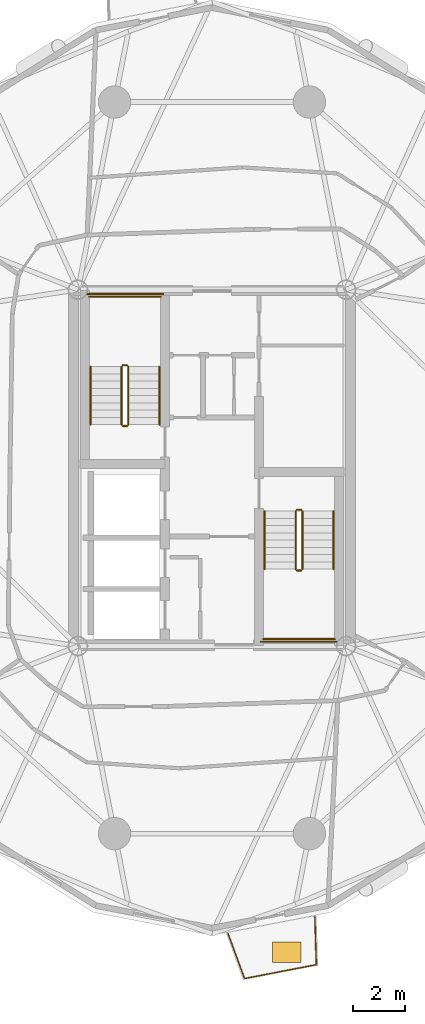
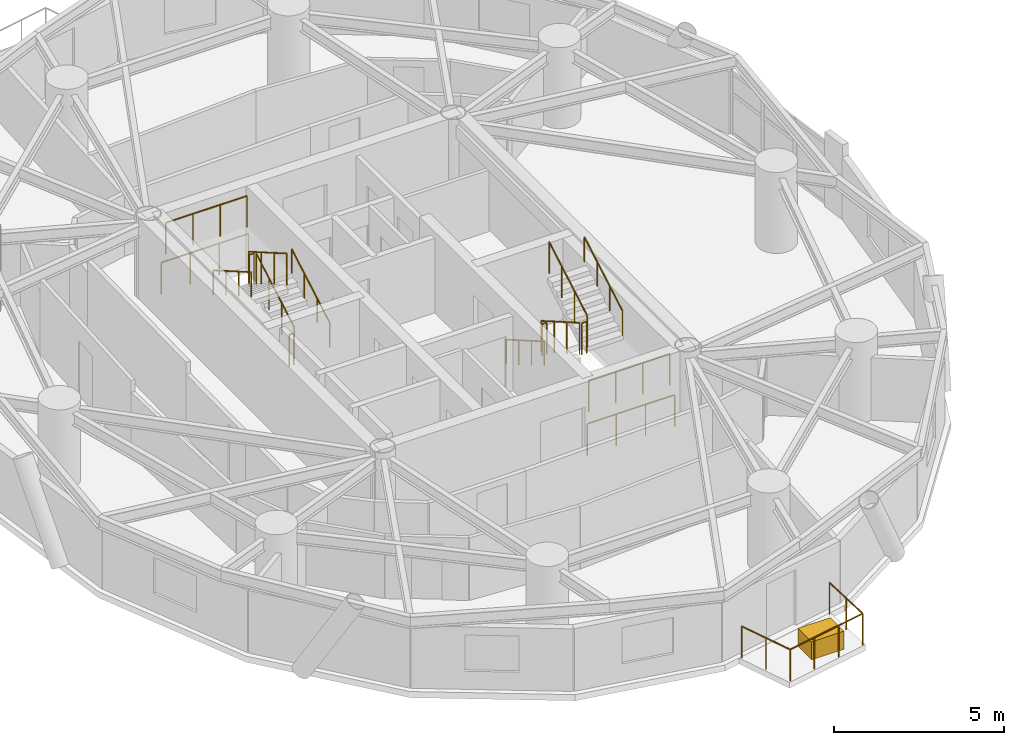
# One storey, part 15 of 17: 17 railings, 1 covering.
"""IFC4 building model written with IfcOpenShell, lengths in metres."""

from ifc_helpers import new_model, si_unit, direction, frame, origin, origin_2d, place, context, subcontext, project, spatial, rectangle, circle, extrude, source, transform, mapped, material, layer, layer_set, type_object, element, save


model = new_model("IFC4")

# Units and contexts
model_context = context("Model", 3, precision=1e-05, world=origin(), true_north=direction((0.0, 1.0)))
body_context = subcontext(model_context, "Body", "Model", "MODEL_VIEW")
ifc_project = project(units=[si_unit("LENGTHUNIT", "METRE"), si_unit("AREAUNIT", "SQUARE_METRE"), si_unit("VOLUMEUNIT", "CUBIC_METRE"), si_unit("PLANEANGLEUNIT", "RADIAN"), si_unit("MASSUNIT", "GRAM", prefix="KILO")], contexts=[model_context])

# Site, building, storey
site_placement = place(None, origin())
site = spatial("IfcSite", under=ifc_project, at=site_placement, CompositionType="ELEMENT")
building_placement = place(site_placement, origin())
building = spatial("IfcBuilding", under=site, at=building_placement, Name="Cununo Teusaquillo Station Towers", CompositionType="ELEMENT")
storey_placement = place(building_placement, frame((0.0, 0.0, 163.239990234375)))
storey = spatial("IfcBuildingStorey", under=building, at=storey_placement, Name="L51", CompositionType="ELEMENT", Elevation=163.239990234375)

# Railings
ifc_material_1 = material(Name="Anodised dark bronze aluminium EN AW-6063-T6", Category="aluminium")
railing_type_1 = type_object("IfcRailingType", Name="RL-EXT-GUARD", PredefinedType="GUARDRAIL", material=ifc_material_1)
railing_1_placement = place(storey_placement, frame((20.470703125, 7.173583984375, 0.0)))
element("IfcRailing", 1, at=railing_1_placement, inside=storey, type_object=railing_type_1, Name="L51 Tower A Balcony Guardrail C15", PredefinedType="GUARDRAIL", context=body_context, shape_type="SweptSolid", body=[
    extrude(circle(Radius=0.02392578125, at=origin_2d()), frame((0.0, 0.0, 1.1259765625), z_axis=(0.030492060761, -0.999535009007, 0.0), x_axis=(0.999535009007, 0.030492060761, 0.0)), (0.0, 0.0, 1.0), 1.857666015625),
    extrude(circle(Radius=0.02392578125, at=origin_2d()), frame((0.056640625, -1.856689453125, 1.1259765625), z_axis=(-0.981837596309, -0.18972331031, 0.0), x_axis=(0.18972331031, -0.981837596309, 0.0)), (0.0, 0.0, 1.0), 2.822021484375),
    extrude(circle(Radius=0.02392578125, at=origin_2d()), frame((-2.714111328125, -2.39208984375, 1.1259765625), z_axis=(-0.344127190422, 0.938923040942, 0.0), x_axis=(-0.938923040942, -0.344127190422, 0.0)), (0.0, 0.0, 1.0), 1.857421875),
    extrude(circle(Radius=0.02099609375, at=origin_2d()), origin(), (0.0, 0.0, 1.0), 1.101806640625),
    extrude(circle(Radius=0.02099609375, at=origin_2d()), frame((0.0283203125, -0.92822265625, 0.0)), (0.0, 0.0, 1.0), 1.101806640625),
    extrude(circle(Radius=0.02099609375, at=origin_2d()), frame((0.056640625, -1.856689453125, 0.0)), (0.0, 0.0, 1.0), 1.101806640625),
    extrude(circle(Radius=0.02099609375, at=origin_2d()), frame((-0.866943359375, -2.03515625, 0.0)), (0.0, 0.0, 1.0), 1.101806640625),
    extrude(circle(Radius=0.02099609375, at=origin_2d()), frame((-1.79052734375, -2.213623046875, 0.0)), (0.0, 0.0, 1.0), 1.101806640625),
    extrude(circle(Radius=0.02099609375, at=origin_2d()), frame((-2.714111328125, -2.39208984375, 0.0)), (0.0, 0.0, 1.0), 1.101806640625),
    extrude(circle(Radius=0.02099609375, at=origin_2d()), frame((-3.03369140625, -1.52001953125, 0.0)), (0.0, 0.0, 1.0), 1.101806640625),
    extrude(circle(Radius=0.02099609375, at=origin_2d()), frame((-3.353271484375, -0.648193359375, 0.0)), (0.0, 0.0, 1.0), 1.101806640625),
])
ifc_material_2 = material(Name="Steel EN 10025-2 S355J2", Category="steel")
railing_type_2 = type_object("IfcRailingType", Name="RL-INT-GUARD", PredefinedType="GUARDRAIL", material=ifc_material_2)
railing_2_placement = place(storey_placement, frame((13.27001953125, 26.169921875, 0.16162109375)))
element("IfcRailing", 2, at=railing_2_placement, inside=storey, type_object=railing_type_2, Name="L51 ST-T1-1 stair guard 1", PredefinedType="GUARDRAIL", context=body_context, shape_type="SweptSolid", body=[
    extrude(circle(Radius=0.02392578125, at=origin_2d()), frame((0.0, 0.0, 1.1259765625), z_axis=(0.0, 0.865992244559, 0.500057429065), x_axis=(-1.0, 0.0, 0.0)), (0.0, 0.0, 1.0), 2.586669921875),
    extrude(circle(Radius=0.02099609375, at=origin_2d()), origin(), (0.0, 0.0, 1.0), 1.101806640625),
    extrude(circle(Radius=0.02099609375, at=origin_2d()), frame((0.0, 0.74658203125, 0.43115234375)), (0.0, 0.0, 1.0), 1.101806640625),
    extrude(circle(Radius=0.02099609375, at=origin_2d()), frame((0.0, 1.493408203125, 0.8623046875)), (0.0, 0.0, 1.0), 1.101806640625),
    extrude(circle(Radius=0.02099609375, at=origin_2d()), frame((0.0, 2.239990234375, 1.29345703125)), (0.0, 0.0, 1.0), 1.101806640625),
])
railing_3_placement = place(storey_placement, frame((13.219970703125, 28.4599609375, 1.455078125)))
element("IfcRailing", 3, at=railing_3_placement, inside=storey, type_object=railing_type_2, Name="L51 ST-T1-1 stair guard 2", PredefinedType="GUARDRAIL", context=body_context, shape_type="SweptSolid", body=[
    extrude(circle(Radius=0.02392578125, at=origin_2d()), frame((0.0, 0.0, 1.1259765625), z_axis=(-1.0, 0.0, 0.0), x_axis=(0.0, -1.0, 0.0)), (0.0, 0.0, 1.0), 0.159912109375),
    extrude(circle(Radius=0.02099609375, at=origin_2d()), origin(), (0.0, 0.0, 1.0), 1.101806640625),
    extrude(circle(Radius=0.02099609375, at=origin_2d()), frame((-0.159912109375, 0.0, 0.0)), (0.0, 0.0, 1.0), 1.101806640625),
])
railing_4_placement = place(storey_placement, frame((14.52001953125, 31.110107421875, 1.455078125)))
element("IfcRailing", 4, at=railing_4_placement, inside=storey, type_object=railing_type_2, Name="L51 ST-T1-1 stair guard 3", PredefinedType="GUARDRAIL", context=body_context, shape_type="SweptSolid", body=[
    extrude(circle(Radius=0.02392578125, at=origin_2d()), frame((0.0, 0.0, 1.1259765625), z_axis=(-1.0, 0.0, 0.0), x_axis=(0.0, -1.0, 0.0)), (0.0, 0.0, 1.0), 2.760009765625),
    extrude(circle(Radius=0.02099609375, at=origin_2d()), origin(), (0.0, 0.0, 1.0), 1.101806640625),
    extrude(circle(Radius=0.02099609375, at=origin_2d()), frame((-0.919921875, 0.0, 0.0)), (0.0, 0.0, 1.0), 1.101806640625),
    extrude(circle(Radius=0.02099609375, at=origin_2d()), frame((-1.840087890625, 0.0, 0.0)), (0.0, 0.0, 1.0), 1.101806640625),
    extrude(circle(Radius=0.02099609375, at=origin_2d()), frame((-2.760009765625, 0.0, 0.0)), (0.0, 0.0, 1.0), 1.101806640625),
])
railing_5_placement = place(storey_placement, frame((13.010009765625, 28.409912109375, 1.61669921875)))
element("IfcRailing", 5, at=railing_5_placement, inside=storey, type_object=railing_type_2, Name="L51 ST-T1-1 stair guard 4", PredefinedType="GUARDRAIL", context=body_context, shape_type="SweptSolid", body=[
    extrude(circle(Radius=0.02392578125, at=origin_2d()), frame((0.0, 0.0, 1.1259765625), z_axis=(0.0, -0.866033117094, 0.499986639918), x_axis=(1.0, 0.0, 0.0)), (0.0, 0.0, 1.0), 2.58642578125),
    extrude(circle(Radius=0.02099609375, at=origin_2d()), origin(), (0.0, 0.0, 1.0), 1.101806640625),
    extrude(circle(Radius=0.02099609375, at=origin_2d()), frame((0.0, -0.74658203125, 0.43115234375)), (0.0, 0.0, 1.0), 1.101806640625),
    extrude(circle(Radius=0.02099609375, at=origin_2d()), frame((0.0, -1.493408203125, 0.862060546875)), (0.0, 0.0, 1.0), 1.101806640625),
    extrude(circle(Radius=0.02099609375, at=origin_2d()), frame((0.0, -2.239990234375, 1.293212890625)), (0.0, 0.0, 1.0), 1.101806640625),
])
railing_6_placement = place(storey_placement, frame((13.219970703125, 26.1201171875, 0.0)))
element("IfcRailing", 6, at=railing_6_placement, inside=storey, type_object=railing_type_2, Name="L51 ST-T1-1 stair guard 5", PredefinedType="GUARDRAIL", context=body_context, shape_type="SweptSolid", body=[
    extrude(circle(Radius=0.02392578125, at=origin_2d()), frame((0.0, 0.0, 1.1259765625), z_axis=(-1.0, 0.0, 0.0), x_axis=(0.0, -1.0, 0.0)), (0.0, 0.0, 1.0), 0.159912109375),
    extrude(circle(Radius=0.02099609375, at=origin_2d()), origin(), (0.0, 0.0, 1.0), 1.101806640625),
    extrude(circle(Radius=0.02099609375, at=origin_2d()), frame((-0.159912109375, 0.0, 0.0)), (0.0, 0.0, 1.0), 1.101806640625),
])
railing_7_placement = place(storey_placement, frame((14.6201171875, 31.2099609375, 0.0)))
element("IfcRailing", 7, at=railing_7_placement, inside=storey, type_object=railing_type_2, Name="L51 ST-T1-1 stair guard 6", PredefinedType="GUARDRAIL", context=body_context, shape_type="SweptSolid", body=[
    extrude(circle(Radius=0.02392578125, at=origin_2d()), frame((0.0, 0.0, 1.1259765625), z_axis=(-1.0, 0.0, 0.0), x_axis=(0.0, -1.0, 0.0)), (0.0, 0.0, 1.0), 2.960205078125),
    extrude(circle(Radius=0.02099609375, at=origin_2d()), origin(), (0.0, 0.0, 1.0), 1.101806640625),
    extrude(circle(Radius=0.02099609375, at=origin_2d()), frame((-0.98681640625, 0.0, 0.0)), (0.0, 0.0, 1.0), 1.101806640625),
    extrude(circle(Radius=0.02099609375, at=origin_2d()), frame((-1.973388671875, 0.0, 0.0)), (0.0, 0.0, 1.0), 1.101806640625),
    extrude(circle(Radius=0.02099609375, at=origin_2d()), frame((-2.960205078125, 0.0, 0.0)), (0.0, 0.0, 1.0), 1.101806640625),
])
railing_8_placement = place(storey_placement, frame((19.72998046875, 22.830078125, 0.16162109375)))
element("IfcRailing", 8, at=railing_8_placement, inside=storey, type_object=railing_type_2, Name="L51 ST-T1-2 stair guard 1", PredefinedType="GUARDRAIL", context=body_context, shape_type="SweptSolid", body=[
    extrude(circle(Radius=0.02392578125, at=origin_2d()), frame((0.0, 0.0, 1.1259765625), z_axis=(0.0, -0.865992244559, 0.500057429065), x_axis=(1.0, 0.0, 0.0)), (0.0, 0.0, 1.0), 2.586669921875),
    extrude(circle(Radius=0.02099609375, at=origin_2d()), origin(), (0.0, 0.0, 1.0), 1.101806640625),
    extrude(circle(Radius=0.02099609375, at=origin_2d()), frame((0.0, -0.74658203125, 0.43115234375)), (0.0, 0.0, 1.0), 1.101806640625),
    extrude(circle(Radius=0.02099609375, at=origin_2d()), frame((0.0, -1.493408203125, 0.8623046875)), (0.0, 0.0, 1.0), 1.101806640625),
    extrude(circle(Radius=0.02099609375, at=origin_2d()), frame((0.0, -2.239990234375, 1.29345703125)), (0.0, 0.0, 1.0), 1.101806640625),
])
railing_9_placement = place(storey_placement, frame((19.780029296875, 20.5400390625, 1.455078125)))
element("IfcRailing", 9, at=railing_9_placement, inside=storey, type_object=railing_type_2, Name="L51 ST-T1-2 stair guard 2", PredefinedType="GUARDRAIL", context=body_context, shape_type="SweptSolid", body=[
    extrude(circle(Radius=0.02392578125, at=origin_2d()), frame((0.0, 0.0, 1.1259765625), z_axis=(1.0, 0.0, 0.0), x_axis=(0.0, 1.0, 0.0)), (0.0, 0.0, 1.0), 0.159912109375),
    extrude(circle(Radius=0.02099609375, at=origin_2d()), origin(), (0.0, 0.0, 1.0), 1.101806640625),
    extrude(circle(Radius=0.02099609375, at=origin_2d()), frame((0.159912109375, 0.0, 0.0)), (0.0, 0.0, 1.0), 1.101806640625),
])
railing_10_placement = place(storey_placement, frame((18.47998046875, 17.889892578125, 1.455078125)))
element("IfcRailing", 10, at=railing_10_placement, inside=storey, type_object=railing_type_2, Name="L51 ST-T1-2 stair guard 3", PredefinedType="GUARDRAIL", context=body_context, shape_type="SweptSolid", body=[
    extrude(circle(Radius=0.02392578125, at=origin_2d()), frame((0.0, 0.0, 1.1259765625), z_axis=(1.0, 0.0, 0.0), x_axis=(0.0, 1.0, 0.0)), (0.0, 0.0, 1.0), 2.760009765625),
    extrude(circle(Radius=0.02099609375, at=origin_2d()), origin(), (0.0, 0.0, 1.0), 1.101806640625),
    extrude(circle(Radius=0.02099609375, at=origin_2d()), frame((0.919921875, 0.0, 0.0)), (0.0, 0.0, 1.0), 1.101806640625),
    extrude(circle(Radius=0.02099609375, at=origin_2d()), frame((1.840087890625, 0.0, 0.0)), (0.0, 0.0, 1.0), 1.101806640625),
    extrude(circle(Radius=0.02099609375, at=origin_2d()), frame((2.760009765625, 0.0, 0.0)), (0.0, 0.0, 1.0), 1.101806640625),
])
railing_11_placement = place(storey_placement, frame((19.989990234375, 20.590087890625, 1.61669921875)))
element("IfcRailing", 11, at=railing_11_placement, inside=storey, type_object=railing_type_2, Name="L51 ST-T1-2 stair guard 4", PredefinedType="GUARDRAIL", context=body_context, shape_type="SweptSolid", body=[
    extrude(circle(Radius=0.02392578125, at=origin_2d()), frame((0.0, 0.0, 1.1259765625), z_axis=(0.0, 0.866033117094, 0.499986639918), x_axis=(-1.0, 0.0, 0.0)), (0.0, 0.0, 1.0), 2.58642578125),
    extrude(circle(Radius=0.02099609375, at=origin_2d()), origin(), (0.0, 0.0, 1.0), 1.101806640625),
    extrude(circle(Radius=0.02099609375, at=origin_2d()), frame((0.0, 0.74658203125, 0.43115234375)), (0.0, 0.0, 1.0), 1.101806640625),
    extrude(circle(Radius=0.02099609375, at=origin_2d()), frame((0.0, 1.493408203125, 0.862060546875)), (0.0, 0.0, 1.0), 1.101806640625),
    extrude(circle(Radius=0.02099609375, at=origin_2d()), frame((0.0, 2.239990234375, 1.293212890625)), (0.0, 0.0, 1.0), 1.101806640625),
])
railing_12_placement = place(storey_placement, frame((19.780029296875, 22.8798828125, 0.0)))
element("IfcRailing", 12, at=railing_12_placement, inside=storey, type_object=railing_type_2, Name="L51 ST-T1-2 stair guard 5", PredefinedType="GUARDRAIL", context=body_context, shape_type="SweptSolid", body=[
    extrude(circle(Radius=0.02392578125, at=origin_2d()), frame((0.0, 0.0, 1.1259765625), z_axis=(1.0, 0.0, 0.0), x_axis=(0.0, 1.0, 0.0)), (0.0, 0.0, 1.0), 0.159912109375),
    extrude(circle(Radius=0.02099609375, at=origin_2d()), origin(), (0.0, 0.0, 1.0), 1.101806640625),
    extrude(circle(Radius=0.02099609375, at=origin_2d()), frame((0.159912109375, 0.0, 0.0)), (0.0, 0.0, 1.0), 1.101806640625),
])
railing_13_placement = place(storey_placement, frame((18.3798828125, 17.7900390625, 0.0)))
element("IfcRailing", 13, at=railing_13_placement, inside=storey, type_object=railing_type_2, Name="L51 ST-T1-2 stair guard 6", PredefinedType="GUARDRAIL", context=body_context, shape_type="SweptSolid", body=[
    extrude(circle(Radius=0.02392578125, at=origin_2d()), frame((0.0, 0.0, 1.1259765625), z_axis=(1.0, 0.0, 0.0), x_axis=(0.0, 1.0, 0.0)), (0.0, 0.0, 1.0), 2.960205078125),
    extrude(circle(Radius=0.02099609375, at=origin_2d()), origin(), (0.0, 0.0, 1.0), 1.101806640625),
    extrude(circle(Radius=0.02099609375, at=origin_2d()), frame((0.98681640625, 0.0, 0.0)), (0.0, 0.0, 1.0), 1.101806640625),
    extrude(circle(Radius=0.02099609375, at=origin_2d()), frame((1.973388671875, 0.0, 0.0)), (0.0, 0.0, 1.0), 1.101806640625),
    extrude(circle(Radius=0.02099609375, at=origin_2d()), frame((2.960205078125, 0.0, 0.0)), (0.0, 0.0, 1.0), 1.101806640625),
])
ifc_material_3 = material(Name="Steel EN 10025-2 S355J2", Category="steel")
railing_type_3 = type_object("IfcRailingType", Name="RL-INT-HRAIL", PredefinedType="HANDRAIL", material=ifc_material_3)
railing_14_placement = place(storey_placement, frame((14.469970703125, 26.169921875, 0.16162109375)))
element("IfcRailing", 14, at=railing_14_placement, inside=storey, type_object=railing_type_3, Name="L51 ST-T1-1 stair handrail 1", PredefinedType="HANDRAIL", context=body_context, shape_type="SweptSolid", body=[
    extrude(circle(Radius=0.02392578125, at=origin_2d()), frame((0.0, 0.0, 0.8759765625), z_axis=(0.0, 0.865992244559, 0.500057429065), x_axis=(-1.0, 0.0, 0.0)), (0.0, 0.0, 1.0), 2.586669921875),
    extrude(circle(Radius=0.02099609375, at=origin_2d()), origin(), (0.0, 0.0, 1.0), 0.851806640625),
    extrude(circle(Radius=0.02099609375, at=origin_2d()), frame((0.0, 0.74658203125, 0.43115234375)), (0.0, 0.0, 1.0), 0.851806640625),
    extrude(circle(Radius=0.02099609375, at=origin_2d()), frame((0.0, 1.493408203125, 0.8623046875)), (0.0, 0.0, 1.0), 0.851806640625),
    extrude(circle(Radius=0.02099609375, at=origin_2d()), frame((0.0, 2.239990234375, 1.29345703125)), (0.0, 0.0, 1.0), 0.851806640625),
])
railing_15_placement = place(storey_placement, frame((11.81005859375, 28.409912109375, 1.61669921875)))
element("IfcRailing", 15, at=railing_15_placement, inside=storey, type_object=railing_type_3, Name="L51 ST-T1-1 stair handrail 2", PredefinedType="HANDRAIL", context=body_context, shape_type="SweptSolid", body=[
    extrude(circle(Radius=0.02392578125, at=origin_2d()), frame((0.0, 0.0, 0.8759765625), z_axis=(0.0, -0.866033117094, 0.499986639918), x_axis=(1.0, 0.0, 0.0)), (0.0, 0.0, 1.0), 2.58642578125),
    extrude(circle(Radius=0.02099609375, at=origin_2d()), origin(), (0.0, 0.0, 1.0), 0.851806640625),
    extrude(circle(Radius=0.02099609375, at=origin_2d()), frame((0.0, -0.74658203125, 0.43115234375)), (0.0, 0.0, 1.0), 0.851806640625),
    extrude(circle(Radius=0.02099609375, at=origin_2d()), frame((0.0, -1.493408203125, 0.862060546875)), (0.0, 0.0, 1.0), 0.851806640625),
    extrude(circle(Radius=0.02099609375, at=origin_2d()), frame((0.0, -2.239990234375, 1.293212890625)), (0.0, 0.0, 1.0), 0.851806640625),
])
railing_16_placement = place(storey_placement, frame((18.530029296875, 22.830078125, 0.16162109375)))
element("IfcRailing", 16, at=railing_16_placement, inside=storey, type_object=railing_type_3, Name="L51 ST-T1-2 stair handrail 1", PredefinedType="HANDRAIL", context=body_context, shape_type="SweptSolid", body=[
    extrude(circle(Radius=0.02392578125, at=origin_2d()), frame((0.0, 0.0, 0.8759765625), z_axis=(0.0, -0.865992244559, 0.500057429065), x_axis=(1.0, 0.0, 0.0)), (0.0, 0.0, 1.0), 2.586669921875),
    extrude(circle(Radius=0.02099609375, at=origin_2d()), origin(), (0.0, 0.0, 1.0), 0.851806640625),
    extrude(circle(Radius=0.02099609375, at=origin_2d()), frame((0.0, -0.74658203125, 0.43115234375)), (0.0, 0.0, 1.0), 0.851806640625),
    extrude(circle(Radius=0.02099609375, at=origin_2d()), frame((0.0, -1.493408203125, 0.8623046875)), (0.0, 0.0, 1.0), 0.851806640625),
    extrude(circle(Radius=0.02099609375, at=origin_2d()), frame((0.0, -2.239990234375, 1.29345703125)), (0.0, 0.0, 1.0), 0.851806640625),
])
railing_17_placement = place(storey_placement, frame((21.18994140625, 20.590087890625, 1.61669921875)))
element("IfcRailing", 17, at=railing_17_placement, inside=storey, type_object=railing_type_3, Name="L51 ST-T1-2 stair handrail 2", PredefinedType="HANDRAIL", context=body_context, shape_type="SweptSolid", body=[
    extrude(circle(Radius=0.02392578125, at=origin_2d()), frame((0.0, 0.0, 0.8759765625), z_axis=(0.0, 0.866033117094, 0.499986639918), x_axis=(-1.0, 0.0, 0.0)), (0.0, 0.0, 1.0), 2.58642578125),
    extrude(circle(Radius=0.02099609375, at=origin_2d()), origin(), (0.0, 0.0, 1.0), 0.851806640625),
    extrude(circle(Radius=0.02099609375, at=origin_2d()), frame((0.0, 0.74658203125, 0.43115234375)), (0.0, 0.0, 1.0), 0.851806640625),
    extrude(circle(Radius=0.02099609375, at=origin_2d()), frame((0.0, 1.493408203125, 0.862060546875)), (0.0, 0.0, 1.0), 0.851806640625),
    extrude(circle(Radius=0.02099609375, at=origin_2d()), frame((0.0, 2.239990234375, 1.293212890625)), (0.0, 0.0, 1.0), 0.851806640625),
])

# Covering
ifc_material_4 = material(Name="Architectural GRC planter shell and engineered root-zone substrate", Category="concrete")
ifc_layer = layer(ifc_material_4, 0.64990234375)
ifc_layer_set = layer_set([ifc_layer], Name="Architectural GRC planter shell and engineered root-zone substrate")
covering_type = type_object("IfcCoveringType", Name="COV-TREE-PLANTER", PredefinedType="CLADDING", material=ifc_layer_set)
shared_shape = source(origin(), body_context, "Body", "SweptSolid", [
    extrude(rectangle(XDim=1.10009765625, YDim=0.800048828125, at=origin_2d()), origin(), (0.0, 0.0, 1.0), 0.64990234375),
])
covering_placement = place(storey_placement, frame((19.38916015625, 5.7998046875, 0.0), z_axis=(0.0, 0.0, 1.0), x_axis=(1.0, 0.0, 0.0)))
element("IfcCovering", 18, at=covering_placement, inside=storey, type_object=covering_type, Name="L51 Tower A Balcony Tree PLANTER C15", PredefinedType="CLADDING", context=body_context, shape_type="MappedRepresentation", body=[
    mapped(shared_shape, transform((0.0, 0.0, 0.0), x_axis=(1.0, 0.0, 0.0), y_axis=(0.0, 1.0, 0.0), z_axis=(0.0, 0.0, 1.0), scale=1.0)),
])

save(model, "model.ifc")
